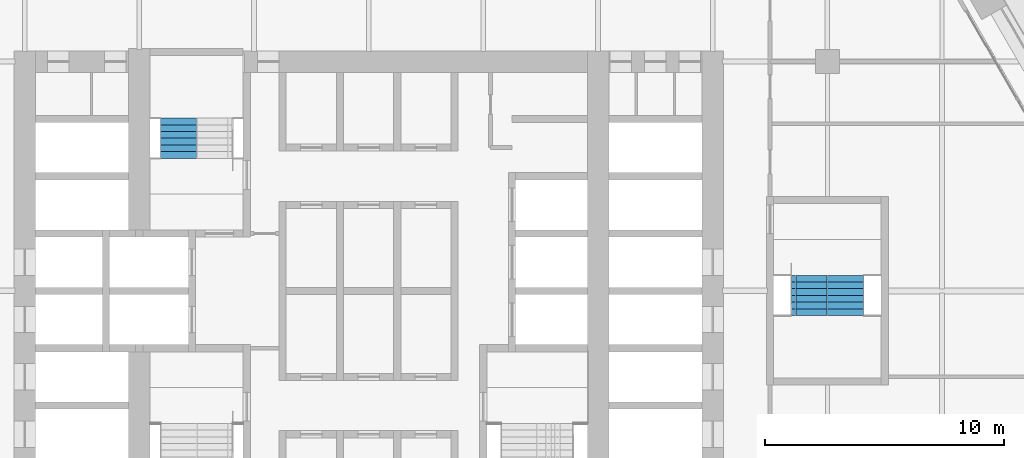
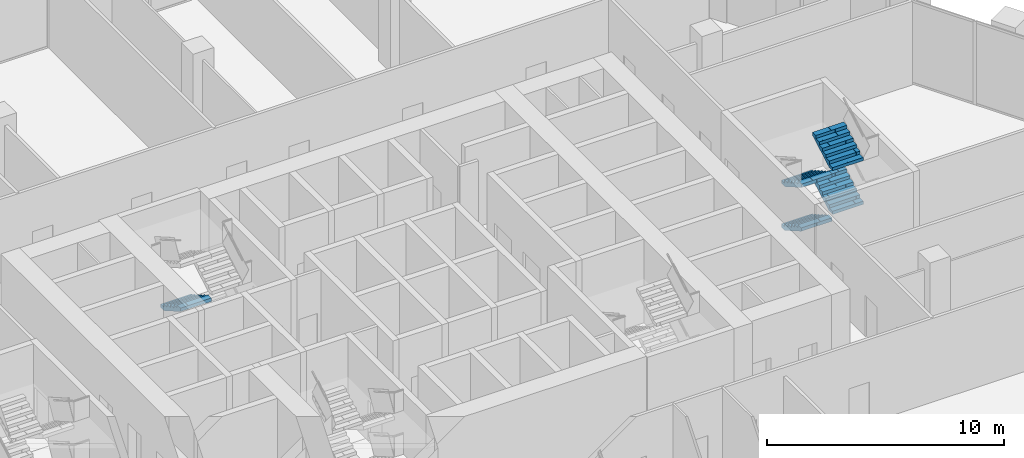
# One storey, part 20 of 23: 5 stair flights, 2 elements without a shape of their own.
"""IFC4 building model written with IfcOpenShell, lengths in metres."""

from ifc_helpers import new_model, si_unit, direction, frame, origin, place, context, subcontext, project, spatial, polyline, outline, extrude, material, type_object, element, aggregate, save


model = new_model("IFC4")

# Units and contexts
model_context = context("Model", 3, precision=1e-05, world=origin(), true_north=direction((0.0, 1.0)))
body_context = subcontext(model_context, "Body", "Model", "MODEL_VIEW")
ifc_project = project(units=[si_unit("LENGTHUNIT", "METRE"), si_unit("AREAUNIT", "SQUARE_METRE"), si_unit("VOLUMEUNIT", "CUBIC_METRE"), si_unit("PLANEANGLEUNIT", "RADIAN"), si_unit("MASSUNIT", "GRAM", prefix="KILO")], contexts=[model_context])

# Site, building, storey
site_placement = place(None, origin())
site = spatial("IfcSite", under=ifc_project, at=site_placement, CompositionType="ELEMENT")
building_placement = place(site_placement, origin())
building = spatial("IfcBuilding", under=site, at=building_placement, Name="Kolab Exchange Tower", CompositionType="ELEMENT")
storey_placement = place(building_placement, frame((0.0, 0.0, 95.89990234375)))
storey = spatial("IfcBuildingStorey", under=building, at=storey_placement, Name="L18", CompositionType="ELEMENT", Elevation=95.89990234375)

# Stair, stair flight
ifc_material = material(Name="Concrete C50/60", Category="concrete")
stair_type_1 = type_object("IfcStairType", Name="STAIR ST1 RISER 160.7", PredefinedType="DOUBLE_RETURN_STAIR", material=ifc_material)
stair_1_placement = place(storey_placement, origin())
stair_1 = element("IfcStair", 1, at=stair_1_placement, inside=storey, type_object=stair_type_1, Name="Stair 1", PredefinedType="DOUBLE_RETURN_STAIR")
stair_flight_type = type_object("IfcStairFlightType", Name="STAIR FLIGHT 1500 RISER 160.7", PredefinedType="STRAIGHT", material=ifc_material)
stair_flight_1_placement = place(storey_placement, frame((-7.9599609375, 7.22998046875, 1.125), z_axis=(0.0, 0.0, 1.0), x_axis=(0.0, -1.0, 0.0)))
stair_flight_1 = element("IfcStairFlight", 2, at=stair_flight_1_placement, type_object=stair_flight_type, Name="ST1 flight 2", NumberOfRisers=7, NumberOfTreads=6, PredefinedType="STRAIGHT", RiserHeight=0.160714286, TreadLength=0.28, context=body_context, shape_type="SweptSolid", body=[
    extrude(outline(polyline([(0.0, 0.0), (0.0, 0.16064453125), (0.280029296875, 0.16064453125), (0.280029296875, 0.321533203125), (0.56005859375, 0.321533203125), (0.56005859375, 0.482177734375), (0.840087890625, 0.482177734375), (0.840087890625, 0.642822265625), (1.1201171875, 0.642822265625), (1.1201171875, 0.803466796875), (1.39990234375, 0.803466796875), (1.39990234375, 0.96435546875), (1.679931640625, 0.96435546875), (1.679931640625, 1.125), (1.679931640625, 0.79150390625), (0.301025390625, 0.0), (0.0, 0.0)])), frame((0.0, 0.75, 0.0), z_axis=(0.0, -1.0, 0.0), x_axis=(1.0, 0.0, 0.0)), (0.0, 0.0, 1.0), 0.185791015625),
    extrude(outline(polyline([(0.0, 0.0), (0.0, 0.16064453125), (0.280029296875, 0.16064453125), (0.280029296875, 0.321533203125), (0.56005859375, 0.321533203125), (0.56005859375, 0.482177734375), (0.840087890625, 0.482177734375), (0.840087890625, 0.642822265625), (1.1201171875, 0.642822265625), (1.1201171875, 0.803466796875), (1.39990234375, 0.803466796875), (1.39990234375, 0.96435546875), (1.679931640625, 0.96435546875), (1.679931640625, 1.125), (1.679931640625, 0.79150390625), (0.301025390625, 0.0), (0.0, 0.0)])), frame((0.0, 0.562255859375, 0.0), z_axis=(0.0, -1.0, 0.0), x_axis=(1.0, 0.0, 0.0)), (0.0, 0.0, 1.0), 0.185791015625),
    extrude(outline(polyline([(0.0, 0.0), (0.0, 0.16064453125), (0.280029296875, 0.16064453125), (0.280029296875, 0.321533203125), (0.56005859375, 0.321533203125), (0.56005859375, 0.482177734375), (0.840087890625, 0.482177734375), (0.840087890625, 0.642822265625), (1.1201171875, 0.642822265625), (1.1201171875, 0.803466796875), (1.39990234375, 0.803466796875), (1.39990234375, 0.96435546875), (1.679931640625, 0.96435546875), (1.679931640625, 1.125), (1.679931640625, 0.79150390625), (0.301025390625, 0.0), (0.0, 0.0)])), frame((0.0, 0.37451171875, 0.0), z_axis=(0.0, -1.0, 0.0), x_axis=(1.0, 0.0, 0.0)), (0.0, 0.0, 1.0), 0.185791015625),
    extrude(outline(polyline([(0.0, 0.0), (0.0, 0.16064453125), (0.280029296875, 0.16064453125), (0.280029296875, 0.321533203125), (0.56005859375, 0.321533203125), (0.56005859375, 0.482177734375), (0.840087890625, 0.482177734375), (0.840087890625, 0.642822265625), (1.1201171875, 0.642822265625), (1.1201171875, 0.803466796875), (1.39990234375, 0.803466796875), (1.39990234375, 0.96435546875), (1.679931640625, 0.96435546875), (1.679931640625, 1.125), (1.679931640625, 0.79150390625), (0.301025390625, 0.0), (0.0, 0.0)])), frame((0.0, 0.186767578125, 0.0), z_axis=(0.0, -1.0, 0.0), x_axis=(1.0, 0.0, 0.0)), (0.0, 0.0, 1.0), 0.185791015625),
    extrude(outline(polyline([(0.0, 0.0), (0.0, 0.16064453125), (0.280029296875, 0.16064453125), (0.280029296875, 0.321533203125), (0.56005859375, 0.321533203125), (0.56005859375, 0.482177734375), (0.840087890625, 0.482177734375), (0.840087890625, 0.642822265625), (1.1201171875, 0.642822265625), (1.1201171875, 0.803466796875), (1.39990234375, 0.803466796875), (1.39990234375, 0.96435546875), (1.679931640625, 0.96435546875), (1.679931640625, 1.125), (1.679931640625, 0.79150390625), (0.301025390625, 0.0), (0.0, 0.0)])), frame((0.0, -0.0009765625, 0.0), z_axis=(0.0, -1.0, 0.0), x_axis=(1.0, 0.0, 0.0)), (0.0, 0.0, 1.0), 0.185791015625),
    extrude(outline(polyline([(0.0, 0.0), (0.0, 0.16064453125), (0.280029296875, 0.16064453125), (0.280029296875, 0.321533203125), (0.56005859375, 0.321533203125), (0.56005859375, 0.482177734375), (0.840087890625, 0.482177734375), (0.840087890625, 0.642822265625), (1.1201171875, 0.642822265625), (1.1201171875, 0.803466796875), (1.39990234375, 0.803466796875), (1.39990234375, 0.96435546875), (1.679931640625, 0.96435546875), (1.679931640625, 1.125), (1.679931640625, 0.79150390625), (0.301025390625, 0.0), (0.0, 0.0)])), frame((0.0, -0.188720703125, 0.0), z_axis=(0.0, -1.0, 0.0), x_axis=(1.0, 0.0, 0.0)), (0.0, 0.0, 1.0), 0.185791015625),
    extrude(outline(polyline([(0.0, 0.0), (0.0, 0.16064453125), (0.280029296875, 0.16064453125), (0.280029296875, 0.321533203125), (0.56005859375, 0.321533203125), (0.56005859375, 0.482177734375), (0.840087890625, 0.482177734375), (0.840087890625, 0.642822265625), (1.1201171875, 0.642822265625), (1.1201171875, 0.803466796875), (1.39990234375, 0.803466796875), (1.39990234375, 0.96435546875), (1.679931640625, 0.96435546875), (1.679931640625, 1.125), (1.679931640625, 0.79150390625), (0.301025390625, 0.0), (0.0, 0.0)])), frame((0.0, -0.37646484375, 0.0), z_axis=(0.0, -1.0, 0.0), x_axis=(1.0, 0.0, 0.0)), (0.0, 0.0, 1.0), 0.185791015625),
    extrude(outline(polyline([(0.0, 0.0), (0.0, 0.16064453125), (0.280029296875, 0.16064453125), (0.280029296875, 0.321533203125), (0.56005859375, 0.321533203125), (0.56005859375, 0.482177734375), (0.840087890625, 0.482177734375), (0.840087890625, 0.642822265625), (1.1201171875, 0.642822265625), (1.1201171875, 0.803466796875), (1.39990234375, 0.803466796875), (1.39990234375, 0.96435546875), (1.679931640625, 0.96435546875), (1.679931640625, 1.125), (1.679931640625, 0.79150390625), (0.301025390625, 0.0), (0.0, 0.0)])), frame((0.0, -0.564208984375, 0.0), z_axis=(0.0, -1.0, 0.0), x_axis=(1.0, 0.0, 0.0)), (0.0, 0.0, 1.0), 0.185791015625),
])
aggregate(stair_1, [stair_flight_1])

# Stair, stair flights
stair_type_2 = type_object("IfcStairType", Name="STAIR ST4 RISER 160.7", PredefinedType="DOUBLE_RETURN_STAIR", material=ifc_material)
stair_2_placement = place(storey_placement, origin())
stair_2 = element("IfcStair", 3, at=stair_2_placement, inside=storey, type_object=stair_type_2, Name="Stair 4", PredefinedType="DOUBLE_RETURN_STAIR")
stair_flight_2_placement = place(storey_placement, frame((18.43994140625, 0.64990234375, 0.0), z_axis=(0.0, 0.0, 1.0), x_axis=(0.0, -1.0, 0.0)))
stair_flight_2 = element("IfcStairFlight", 4, at=stair_flight_2_placement, type_object=stair_flight_type, Name="ST4 flight 1", NumberOfRisers=7, NumberOfTreads=6, PredefinedType="STRAIGHT", RiserHeight=0.160714286, TreadLength=0.28, context=body_context, shape_type="SweptSolid", body=[
    extrude(outline(polyline([(0.0, 0.0), (0.0, 0.16064453125), (0.280029296875, 0.16064453125), (0.280029296875, 0.321533203125), (0.56005859375, 0.321533203125), (0.56005859375, 0.482177734375), (0.840087890625, 0.482177734375), (0.840087890625, 0.642822265625), (1.1201171875, 0.642822265625), (1.1201171875, 0.803466796875), (1.39990234375, 0.803466796875), (1.39990234375, 0.96435546875), (1.679931640625, 0.96435546875), (1.679931640625, 1.125), (1.679931640625, 0.79150390625), (0.301025390625, 0.0), (0.0, 0.0)])), frame((0.0, 0.75, 0.0), z_axis=(0.0, -1.0, 0.0), x_axis=(1.0, 0.0, 0.0)), (0.0, 0.0, 1.0), 0.185791015625),
    extrude(outline(polyline([(0.0, 0.0), (0.0, 0.16064453125), (0.280029296875, 0.16064453125), (0.280029296875, 0.321533203125), (0.56005859375, 0.321533203125), (0.56005859375, 0.482177734375), (0.840087890625, 0.482177734375), (0.840087890625, 0.642822265625), (1.1201171875, 0.642822265625), (1.1201171875, 0.803466796875), (1.39990234375, 0.803466796875), (1.39990234375, 0.96435546875), (1.679931640625, 0.96435546875), (1.679931640625, 1.125), (1.679931640625, 0.79150390625), (0.301025390625, 0.0), (0.0, 0.0)])), frame((0.0, 0.562255859375, 0.0), z_axis=(0.0, -1.0, 0.0), x_axis=(1.0, 0.0, 0.0)), (0.0, 0.0, 1.0), 0.185791015625),
    extrude(outline(polyline([(0.0, 0.0), (0.0, 0.16064453125), (0.280029296875, 0.16064453125), (0.280029296875, 0.321533203125), (0.56005859375, 0.321533203125), (0.56005859375, 0.482177734375), (0.840087890625, 0.482177734375), (0.840087890625, 0.642822265625), (1.1201171875, 0.642822265625), (1.1201171875, 0.803466796875), (1.39990234375, 0.803466796875), (1.39990234375, 0.96435546875), (1.679931640625, 0.96435546875), (1.679931640625, 1.125), (1.679931640625, 0.79150390625), (0.301025390625, 0.0), (0.0, 0.0)])), frame((0.0, 0.37451171875, 0.0), z_axis=(0.0, -1.0, 0.0), x_axis=(1.0, 0.0, 0.0)), (0.0, 0.0, 1.0), 0.185791015625),
    extrude(outline(polyline([(0.0, 0.0), (0.0, 0.16064453125), (0.280029296875, 0.16064453125), (0.280029296875, 0.321533203125), (0.56005859375, 0.321533203125), (0.56005859375, 0.482177734375), (0.840087890625, 0.482177734375), (0.840087890625, 0.642822265625), (1.1201171875, 0.642822265625), (1.1201171875, 0.803466796875), (1.39990234375, 0.803466796875), (1.39990234375, 0.96435546875), (1.679931640625, 0.96435546875), (1.679931640625, 1.125), (1.679931640625, 0.79150390625), (0.301025390625, 0.0), (0.0, 0.0)])), frame((0.0, 0.186767578125, 0.0), z_axis=(0.0, -1.0, 0.0), x_axis=(1.0, 0.0, 0.0)), (0.0, 0.0, 1.0), 0.185791015625),
    extrude(outline(polyline([(0.0, 0.0), (0.0, 0.16064453125), (0.280029296875, 0.16064453125), (0.280029296875, 0.321533203125), (0.56005859375, 0.321533203125), (0.56005859375, 0.482177734375), (0.840087890625, 0.482177734375), (0.840087890625, 0.642822265625), (1.1201171875, 0.642822265625), (1.1201171875, 0.803466796875), (1.39990234375, 0.803466796875), (1.39990234375, 0.96435546875), (1.679931640625, 0.96435546875), (1.679931640625, 1.125), (1.679931640625, 0.79150390625), (0.301025390625, 0.0), (0.0, 0.0)])), frame((0.0, -0.0009765625, 0.0), z_axis=(0.0, -1.0, 0.0), x_axis=(1.0, 0.0, 0.0)), (0.0, 0.0, 1.0), 0.185791015625),
    extrude(outline(polyline([(0.0, 0.0), (0.0, 0.16064453125), (0.280029296875, 0.16064453125), (0.280029296875, 0.321533203125), (0.56005859375, 0.321533203125), (0.56005859375, 0.482177734375), (0.840087890625, 0.482177734375), (0.840087890625, 0.642822265625), (1.1201171875, 0.642822265625), (1.1201171875, 0.803466796875), (1.39990234375, 0.803466796875), (1.39990234375, 0.96435546875), (1.679931640625, 0.96435546875), (1.679931640625, 1.125), (1.679931640625, 0.79150390625), (0.301025390625, 0.0), (0.0, 0.0)])), frame((0.0, -0.188720703125, 0.0), z_axis=(0.0, -1.0, 0.0), x_axis=(1.0, 0.0, 0.0)), (0.0, 0.0, 1.0), 0.185791015625),
    extrude(outline(polyline([(0.0, 0.0), (0.0, 0.16064453125), (0.280029296875, 0.16064453125), (0.280029296875, 0.321533203125), (0.56005859375, 0.321533203125), (0.56005859375, 0.482177734375), (0.840087890625, 0.482177734375), (0.840087890625, 0.642822265625), (1.1201171875, 0.642822265625), (1.1201171875, 0.803466796875), (1.39990234375, 0.803466796875), (1.39990234375, 0.96435546875), (1.679931640625, 0.96435546875), (1.679931640625, 1.125), (1.679931640625, 0.79150390625), (0.301025390625, 0.0), (0.0, 0.0)])), frame((0.0, -0.37646484375, 0.0), z_axis=(0.0, -1.0, 0.0), x_axis=(1.0, 0.0, 0.0)), (0.0, 0.0, 1.0), 0.185791015625),
    extrude(outline(polyline([(0.0, 0.0), (0.0, 0.16064453125), (0.280029296875, 0.16064453125), (0.280029296875, 0.321533203125), (0.56005859375, 0.321533203125), (0.56005859375, 0.482177734375), (0.840087890625, 0.482177734375), (0.840087890625, 0.642822265625), (1.1201171875, 0.642822265625), (1.1201171875, 0.803466796875), (1.39990234375, 0.803466796875), (1.39990234375, 0.96435546875), (1.679931640625, 0.96435546875), (1.679931640625, 1.125), (1.679931640625, 0.79150390625), (0.301025390625, 0.0), (0.0, 0.0)])), frame((0.0, -0.564208984375, 0.0), z_axis=(0.0, -1.0, 0.0), x_axis=(1.0, 0.0, 0.0)), (0.0, 0.0, 1.0), 0.185791015625),
])
stair_flight_3_placement = place(storey_placement, frame((19.9599609375, -1.030029296875, 1.125), z_axis=(0.0, 0.0, 1.0), x_axis=(0.0, 1.0, 0.0)))
stair_flight_3 = element("IfcStairFlight", 5, at=stair_flight_3_placement, type_object=stair_flight_type, Name="ST4 flight 2", NumberOfRisers=7, NumberOfTreads=6, PredefinedType="STRAIGHT", RiserHeight=0.160714286, TreadLength=0.28, context=body_context, shape_type="SweptSolid", body=[
    extrude(outline(polyline([(0.0, 0.0), (0.0, 0.16064453125), (0.280029296875, 0.16064453125), (0.280029296875, 0.321533203125), (0.56005859375, 0.321533203125), (0.56005859375, 0.482177734375), (0.840087890625, 0.482177734375), (0.840087890625, 0.642822265625), (1.1201171875, 0.642822265625), (1.1201171875, 0.803466796875), (1.39990234375, 0.803466796875), (1.39990234375, 0.96435546875), (1.679931640625, 0.96435546875), (1.679931640625, 1.125), (1.679931640625, 0.79150390625), (0.301025390625, 0.0), (0.0, 0.0)])), frame((0.0, 0.75, 0.0), z_axis=(0.0, -1.0, 0.0), x_axis=(1.0, 0.0, 0.0)), (0.0, 0.0, 1.0), 0.185791015625),
    extrude(outline(polyline([(0.0, 0.0), (0.0, 0.16064453125), (0.280029296875, 0.16064453125), (0.280029296875, 0.321533203125), (0.56005859375, 0.321533203125), (0.56005859375, 0.482177734375), (0.840087890625, 0.482177734375), (0.840087890625, 0.642822265625), (1.1201171875, 0.642822265625), (1.1201171875, 0.803466796875), (1.39990234375, 0.803466796875), (1.39990234375, 0.96435546875), (1.679931640625, 0.96435546875), (1.679931640625, 1.125), (1.679931640625, 0.79150390625), (0.301025390625, 0.0), (0.0, 0.0)])), frame((0.0, 0.562255859375, 0.0), z_axis=(0.0, -1.0, 0.0), x_axis=(1.0, 0.0, 0.0)), (0.0, 0.0, 1.0), 0.185791015625),
    extrude(outline(polyline([(0.0, 0.0), (0.0, 0.16064453125), (0.280029296875, 0.16064453125), (0.280029296875, 0.321533203125), (0.56005859375, 0.321533203125), (0.56005859375, 0.482177734375), (0.840087890625, 0.482177734375), (0.840087890625, 0.642822265625), (1.1201171875, 0.642822265625), (1.1201171875, 0.803466796875), (1.39990234375, 0.803466796875), (1.39990234375, 0.96435546875), (1.679931640625, 0.96435546875), (1.679931640625, 1.125), (1.679931640625, 0.79150390625), (0.301025390625, 0.0), (0.0, 0.0)])), frame((0.0, 0.37451171875, 0.0), z_axis=(0.0, -1.0, 0.0), x_axis=(1.0, 0.0, 0.0)), (0.0, 0.0, 1.0), 0.185791015625),
    extrude(outline(polyline([(0.0, 0.0), (0.0, 0.16064453125), (0.280029296875, 0.16064453125), (0.280029296875, 0.321533203125), (0.56005859375, 0.321533203125), (0.56005859375, 0.482177734375), (0.840087890625, 0.482177734375), (0.840087890625, 0.642822265625), (1.1201171875, 0.642822265625), (1.1201171875, 0.803466796875), (1.39990234375, 0.803466796875), (1.39990234375, 0.96435546875), (1.679931640625, 0.96435546875), (1.679931640625, 1.125), (1.679931640625, 0.79150390625), (0.301025390625, 0.0), (0.0, 0.0)])), frame((0.0, 0.186767578125, 0.0), z_axis=(0.0, -1.0, 0.0), x_axis=(1.0, 0.0, 0.0)), (0.0, 0.0, 1.0), 0.185791015625),
    extrude(outline(polyline([(0.0, 0.0), (0.0, 0.16064453125), (0.280029296875, 0.16064453125), (0.280029296875, 0.321533203125), (0.56005859375, 0.321533203125), (0.56005859375, 0.482177734375), (0.840087890625, 0.482177734375), (0.840087890625, 0.642822265625), (1.1201171875, 0.642822265625), (1.1201171875, 0.803466796875), (1.39990234375, 0.803466796875), (1.39990234375, 0.96435546875), (1.679931640625, 0.96435546875), (1.679931640625, 1.125), (1.679931640625, 0.79150390625), (0.301025390625, 0.0), (0.0, 0.0)])), frame((0.0, -0.0009765625, 0.0), z_axis=(0.0, -1.0, 0.0), x_axis=(1.0, 0.0, 0.0)), (0.0, 0.0, 1.0), 0.185791015625),
    extrude(outline(polyline([(0.0, 0.0), (0.0, 0.16064453125), (0.280029296875, 0.16064453125), (0.280029296875, 0.321533203125), (0.56005859375, 0.321533203125), (0.56005859375, 0.482177734375), (0.840087890625, 0.482177734375), (0.840087890625, 0.642822265625), (1.1201171875, 0.642822265625), (1.1201171875, 0.803466796875), (1.39990234375, 0.803466796875), (1.39990234375, 0.96435546875), (1.679931640625, 0.96435546875), (1.679931640625, 1.125), (1.679931640625, 0.79150390625), (0.301025390625, 0.0), (0.0, 0.0)])), frame((0.0, -0.188720703125, 0.0), z_axis=(0.0, -1.0, 0.0), x_axis=(1.0, 0.0, 0.0)), (0.0, 0.0, 1.0), 0.185791015625),
    extrude(outline(polyline([(0.0, 0.0), (0.0, 0.16064453125), (0.280029296875, 0.16064453125), (0.280029296875, 0.321533203125), (0.56005859375, 0.321533203125), (0.56005859375, 0.482177734375), (0.840087890625, 0.482177734375), (0.840087890625, 0.642822265625), (1.1201171875, 0.642822265625), (1.1201171875, 0.803466796875), (1.39990234375, 0.803466796875), (1.39990234375, 0.96435546875), (1.679931640625, 0.96435546875), (1.679931640625, 1.125), (1.679931640625, 0.79150390625), (0.301025390625, 0.0), (0.0, 0.0)])), frame((0.0, -0.37646484375, 0.0), z_axis=(0.0, -1.0, 0.0), x_axis=(1.0, 0.0, 0.0)), (0.0, 0.0, 1.0), 0.185791015625),
    extrude(outline(polyline([(0.0, 0.0), (0.0, 0.16064453125), (0.280029296875, 0.16064453125), (0.280029296875, 0.321533203125), (0.56005859375, 0.321533203125), (0.56005859375, 0.482177734375), (0.840087890625, 0.482177734375), (0.840087890625, 0.642822265625), (1.1201171875, 0.642822265625), (1.1201171875, 0.803466796875), (1.39990234375, 0.803466796875), (1.39990234375, 0.96435546875), (1.679931640625, 0.96435546875), (1.679931640625, 1.125), (1.679931640625, 0.79150390625), (0.301025390625, 0.0), (0.0, 0.0)])), frame((0.0, -0.564208984375, 0.0), z_axis=(0.0, -1.0, 0.0), x_axis=(1.0, 0.0, 0.0)), (0.0, 0.0, 1.0), 0.185791015625),
])
stair_flight_4_placement = place(storey_placement, frame((18.43994140625, 0.64990234375, 2.25), z_axis=(0.0, 0.0, 1.0), x_axis=(0.0, -1.0, 0.0)))
stair_flight_4 = element("IfcStairFlight", 6, at=stair_flight_4_placement, type_object=stair_flight_type, Name="ST4 flight 3", NumberOfRisers=7, NumberOfTreads=6, PredefinedType="STRAIGHT", RiserHeight=0.160714286, TreadLength=0.28, context=body_context, shape_type="SweptSolid", body=[
    extrude(outline(polyline([(0.0, 0.0), (0.0, 0.16064453125), (0.280029296875, 0.16064453125), (0.280029296875, 0.321533203125), (0.56005859375, 0.321533203125), (0.56005859375, 0.482177734375), (0.840087890625, 0.482177734375), (0.840087890625, 0.642822265625), (1.1201171875, 0.642822265625), (1.1201171875, 0.803466796875), (1.39990234375, 0.803466796875), (1.39990234375, 0.96435546875), (1.679931640625, 0.96435546875), (1.679931640625, 1.125), (1.679931640625, 0.79150390625), (0.301025390625, 0.0), (0.0, 0.0)])), frame((0.0, 0.75, 0.0), z_axis=(0.0, -1.0, 0.0), x_axis=(1.0, 0.0, 0.0)), (0.0, 0.0, 1.0), 0.185791015625),
    extrude(outline(polyline([(0.0, 0.0), (0.0, 0.16064453125), (0.280029296875, 0.16064453125), (0.280029296875, 0.321533203125), (0.56005859375, 0.321533203125), (0.56005859375, 0.482177734375), (0.840087890625, 0.482177734375), (0.840087890625, 0.642822265625), (1.1201171875, 0.642822265625), (1.1201171875, 0.803466796875), (1.39990234375, 0.803466796875), (1.39990234375, 0.96435546875), (1.679931640625, 0.96435546875), (1.679931640625, 1.125), (1.679931640625, 0.79150390625), (0.301025390625, 0.0), (0.0, 0.0)])), frame((0.0, 0.562255859375, 0.0), z_axis=(0.0, -1.0, 0.0), x_axis=(1.0, 0.0, 0.0)), (0.0, 0.0, 1.0), 0.185791015625),
    extrude(outline(polyline([(0.0, 0.0), (0.0, 0.16064453125), (0.280029296875, 0.16064453125), (0.280029296875, 0.321533203125), (0.56005859375, 0.321533203125), (0.56005859375, 0.482177734375), (0.840087890625, 0.482177734375), (0.840087890625, 0.642822265625), (1.1201171875, 0.642822265625), (1.1201171875, 0.803466796875), (1.39990234375, 0.803466796875), (1.39990234375, 0.96435546875), (1.679931640625, 0.96435546875), (1.679931640625, 1.125), (1.679931640625, 0.79150390625), (0.301025390625, 0.0), (0.0, 0.0)])), frame((0.0, 0.37451171875, 0.0), z_axis=(0.0, -1.0, 0.0), x_axis=(1.0, 0.0, 0.0)), (0.0, 0.0, 1.0), 0.185791015625),
    extrude(outline(polyline([(0.0, 0.0), (0.0, 0.16064453125), (0.280029296875, 0.16064453125), (0.280029296875, 0.321533203125), (0.56005859375, 0.321533203125), (0.56005859375, 0.482177734375), (0.840087890625, 0.482177734375), (0.840087890625, 0.642822265625), (1.1201171875, 0.642822265625), (1.1201171875, 0.803466796875), (1.39990234375, 0.803466796875), (1.39990234375, 0.96435546875), (1.679931640625, 0.96435546875), (1.679931640625, 1.125), (1.679931640625, 0.79150390625), (0.301025390625, 0.0), (0.0, 0.0)])), frame((0.0, 0.186767578125, 0.0), z_axis=(0.0, -1.0, 0.0), x_axis=(1.0, 0.0, 0.0)), (0.0, 0.0, 1.0), 0.185791015625),
    extrude(outline(polyline([(0.0, 0.0), (0.0, 0.16064453125), (0.280029296875, 0.16064453125), (0.280029296875, 0.321533203125), (0.56005859375, 0.321533203125), (0.56005859375, 0.482177734375), (0.840087890625, 0.482177734375), (0.840087890625, 0.642822265625), (1.1201171875, 0.642822265625), (1.1201171875, 0.803466796875), (1.39990234375, 0.803466796875), (1.39990234375, 0.96435546875), (1.679931640625, 0.96435546875), (1.679931640625, 1.125), (1.679931640625, 0.79150390625), (0.301025390625, 0.0), (0.0, 0.0)])), frame((0.0, -0.0009765625, 0.0), z_axis=(0.0, -1.0, 0.0), x_axis=(1.0, 0.0, 0.0)), (0.0, 0.0, 1.0), 0.185791015625),
    extrude(outline(polyline([(0.0, 0.0), (0.0, 0.16064453125), (0.280029296875, 0.16064453125), (0.280029296875, 0.321533203125), (0.56005859375, 0.321533203125), (0.56005859375, 0.482177734375), (0.840087890625, 0.482177734375), (0.840087890625, 0.642822265625), (1.1201171875, 0.642822265625), (1.1201171875, 0.803466796875), (1.39990234375, 0.803466796875), (1.39990234375, 0.96435546875), (1.679931640625, 0.96435546875), (1.679931640625, 1.125), (1.679931640625, 0.79150390625), (0.301025390625, 0.0), (0.0, 0.0)])), frame((0.0, -0.188720703125, 0.0), z_axis=(0.0, -1.0, 0.0), x_axis=(1.0, 0.0, 0.0)), (0.0, 0.0, 1.0), 0.185791015625),
    extrude(outline(polyline([(0.0, 0.0), (0.0, 0.16064453125), (0.280029296875, 0.16064453125), (0.280029296875, 0.321533203125), (0.56005859375, 0.321533203125), (0.56005859375, 0.482177734375), (0.840087890625, 0.482177734375), (0.840087890625, 0.642822265625), (1.1201171875, 0.642822265625), (1.1201171875, 0.803466796875), (1.39990234375, 0.803466796875), (1.39990234375, 0.96435546875), (1.679931640625, 0.96435546875), (1.679931640625, 1.125), (1.679931640625, 0.79150390625), (0.301025390625, 0.0), (0.0, 0.0)])), frame((0.0, -0.37646484375, 0.0), z_axis=(0.0, -1.0, 0.0), x_axis=(1.0, 0.0, 0.0)), (0.0, 0.0, 1.0), 0.185791015625),
    extrude(outline(polyline([(0.0, 0.0), (0.0, 0.16064453125), (0.280029296875, 0.16064453125), (0.280029296875, 0.321533203125), (0.56005859375, 0.321533203125), (0.56005859375, 0.482177734375), (0.840087890625, 0.482177734375), (0.840087890625, 0.642822265625), (1.1201171875, 0.642822265625), (1.1201171875, 0.803466796875), (1.39990234375, 0.803466796875), (1.39990234375, 0.96435546875), (1.679931640625, 0.96435546875), (1.679931640625, 1.125), (1.679931640625, 0.79150390625), (0.301025390625, 0.0), (0.0, 0.0)])), frame((0.0, -0.564208984375, 0.0), z_axis=(0.0, -1.0, 0.0), x_axis=(1.0, 0.0, 0.0)), (0.0, 0.0, 1.0), 0.185791015625),
])
stair_flight_5_placement = place(storey_placement, frame((19.9599609375, -1.030029296875, 3.375), z_axis=(0.0, 0.0, 1.0), x_axis=(0.0, 1.0, 0.0)))
stair_flight_5 = element("IfcStairFlight", 7, at=stair_flight_5_placement, type_object=stair_flight_type, Name="ST4 flight 4", NumberOfRisers=7, NumberOfTreads=6, PredefinedType="STRAIGHT", RiserHeight=0.160714286, TreadLength=0.28, context=body_context, shape_type="SweptSolid", body=[
    extrude(outline(polyline([(0.0, 0.0), (0.0, 0.16064453125), (0.280029296875, 0.16064453125), (0.280029296875, 0.321533203125), (0.56005859375, 0.321533203125), (0.56005859375, 0.482177734375), (0.840087890625, 0.482177734375), (0.840087890625, 0.642822265625), (1.1201171875, 0.642822265625), (1.1201171875, 0.803466796875), (1.39990234375, 0.803466796875), (1.39990234375, 0.96435546875), (1.679931640625, 0.96435546875), (1.679931640625, 1.125), (1.679931640625, 0.79150390625), (0.301025390625, 0.0), (0.0, 0.0)])), frame((0.0, 0.75, 0.0), z_axis=(0.0, -1.0, 0.0), x_axis=(1.0, 0.0, 0.0)), (0.0, 0.0, 1.0), 0.185791015625),
    extrude(outline(polyline([(0.0, 0.0), (0.0, 0.16064453125), (0.280029296875, 0.16064453125), (0.280029296875, 0.321533203125), (0.56005859375, 0.321533203125), (0.56005859375, 0.482177734375), (0.840087890625, 0.482177734375), (0.840087890625, 0.642822265625), (1.1201171875, 0.642822265625), (1.1201171875, 0.803466796875), (1.39990234375, 0.803466796875), (1.39990234375, 0.96435546875), (1.679931640625, 0.96435546875), (1.679931640625, 1.125), (1.679931640625, 0.79150390625), (0.301025390625, 0.0), (0.0, 0.0)])), frame((0.0, 0.562255859375, 0.0), z_axis=(0.0, -1.0, 0.0), x_axis=(1.0, 0.0, 0.0)), (0.0, 0.0, 1.0), 0.185791015625),
    extrude(outline(polyline([(0.0, 0.0), (0.0, 0.16064453125), (0.280029296875, 0.16064453125), (0.280029296875, 0.321533203125), (0.56005859375, 0.321533203125), (0.56005859375, 0.482177734375), (0.840087890625, 0.482177734375), (0.840087890625, 0.642822265625), (1.1201171875, 0.642822265625), (1.1201171875, 0.803466796875), (1.39990234375, 0.803466796875), (1.39990234375, 0.96435546875), (1.679931640625, 0.96435546875), (1.679931640625, 1.125), (1.679931640625, 0.79150390625), (0.301025390625, 0.0), (0.0, 0.0)])), frame((0.0, 0.37451171875, 0.0), z_axis=(0.0, -1.0, 0.0), x_axis=(1.0, 0.0, 0.0)), (0.0, 0.0, 1.0), 0.185791015625),
    extrude(outline(polyline([(0.0, 0.0), (0.0, 0.16064453125), (0.280029296875, 0.16064453125), (0.280029296875, 0.321533203125), (0.56005859375, 0.321533203125), (0.56005859375, 0.482177734375), (0.840087890625, 0.482177734375), (0.840087890625, 0.642822265625), (1.1201171875, 0.642822265625), (1.1201171875, 0.803466796875), (1.39990234375, 0.803466796875), (1.39990234375, 0.96435546875), (1.679931640625, 0.96435546875), (1.679931640625, 1.125), (1.679931640625, 0.79150390625), (0.301025390625, 0.0), (0.0, 0.0)])), frame((0.0, 0.186767578125, 0.0), z_axis=(0.0, -1.0, 0.0), x_axis=(1.0, 0.0, 0.0)), (0.0, 0.0, 1.0), 0.185791015625),
    extrude(outline(polyline([(0.0, 0.0), (0.0, 0.16064453125), (0.280029296875, 0.16064453125), (0.280029296875, 0.321533203125), (0.56005859375, 0.321533203125), (0.56005859375, 0.482177734375), (0.840087890625, 0.482177734375), (0.840087890625, 0.642822265625), (1.1201171875, 0.642822265625), (1.1201171875, 0.803466796875), (1.39990234375, 0.803466796875), (1.39990234375, 0.96435546875), (1.679931640625, 0.96435546875), (1.679931640625, 1.125), (1.679931640625, 0.79150390625), (0.301025390625, 0.0), (0.0, 0.0)])), frame((0.0, -0.0009765625, 0.0), z_axis=(0.0, -1.0, 0.0), x_axis=(1.0, 0.0, 0.0)), (0.0, 0.0, 1.0), 0.185791015625),
    extrude(outline(polyline([(0.0, 0.0), (0.0, 0.16064453125), (0.280029296875, 0.16064453125), (0.280029296875, 0.321533203125), (0.56005859375, 0.321533203125), (0.56005859375, 0.482177734375), (0.840087890625, 0.482177734375), (0.840087890625, 0.642822265625), (1.1201171875, 0.642822265625), (1.1201171875, 0.803466796875), (1.39990234375, 0.803466796875), (1.39990234375, 0.96435546875), (1.679931640625, 0.96435546875), (1.679931640625, 1.125), (1.679931640625, 0.79150390625), (0.301025390625, 0.0), (0.0, 0.0)])), frame((0.0, -0.188720703125, 0.0), z_axis=(0.0, -1.0, 0.0), x_axis=(1.0, 0.0, 0.0)), (0.0, 0.0, 1.0), 0.185791015625),
    extrude(outline(polyline([(0.0, 0.0), (0.0, 0.16064453125), (0.280029296875, 0.16064453125), (0.280029296875, 0.321533203125), (0.56005859375, 0.321533203125), (0.56005859375, 0.482177734375), (0.840087890625, 0.482177734375), (0.840087890625, 0.642822265625), (1.1201171875, 0.642822265625), (1.1201171875, 0.803466796875), (1.39990234375, 0.803466796875), (1.39990234375, 0.96435546875), (1.679931640625, 0.96435546875), (1.679931640625, 1.125), (1.679931640625, 0.79150390625), (0.301025390625, 0.0), (0.0, 0.0)])), frame((0.0, -0.37646484375, 0.0), z_axis=(0.0, -1.0, 0.0), x_axis=(1.0, 0.0, 0.0)), (0.0, 0.0, 1.0), 0.185791015625),
    extrude(outline(polyline([(0.0, 0.0), (0.0, 0.16064453125), (0.280029296875, 0.16064453125), (0.280029296875, 0.321533203125), (0.56005859375, 0.321533203125), (0.56005859375, 0.482177734375), (0.840087890625, 0.482177734375), (0.840087890625, 0.642822265625), (1.1201171875, 0.642822265625), (1.1201171875, 0.803466796875), (1.39990234375, 0.803466796875), (1.39990234375, 0.96435546875), (1.679931640625, 0.96435546875), (1.679931640625, 1.125), (1.679931640625, 0.79150390625), (0.301025390625, 0.0), (0.0, 0.0)])), frame((0.0, -0.564208984375, 0.0), z_axis=(0.0, -1.0, 0.0), x_axis=(1.0, 0.0, 0.0)), (0.0, 0.0, 1.0), 0.185791015625),
])
aggregate(stair_2, [stair_flight_2, stair_flight_3, stair_flight_4, stair_flight_5])

save(model, "model.ifc")
